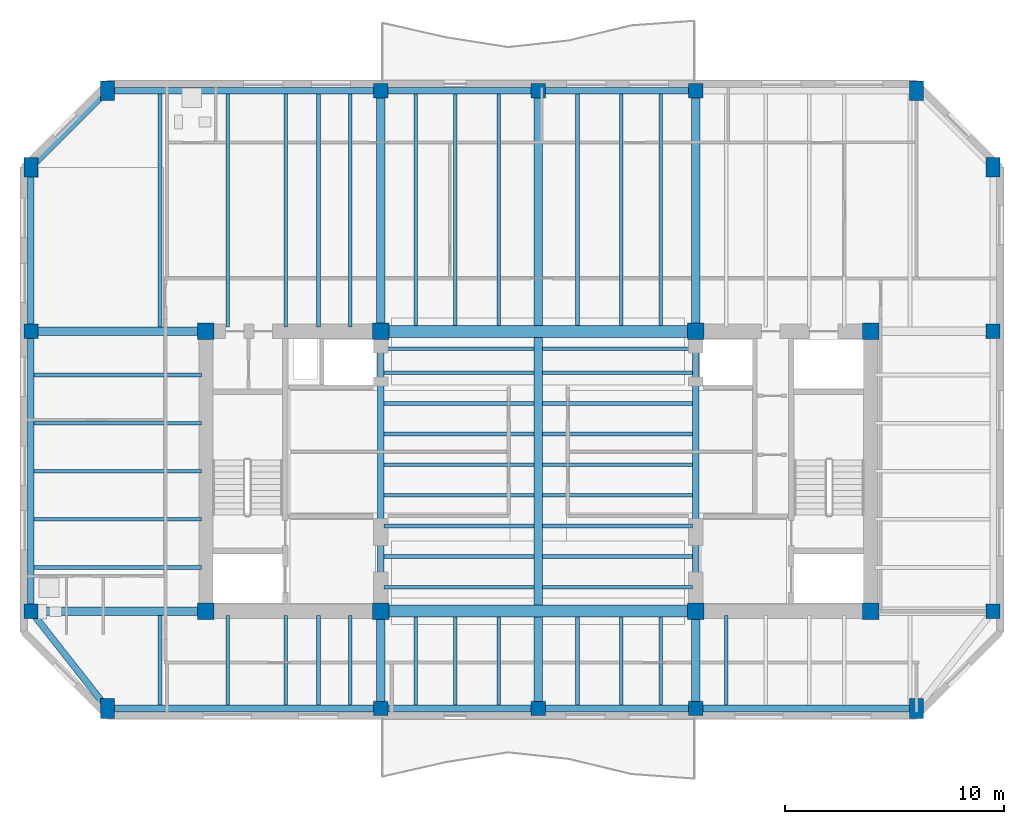
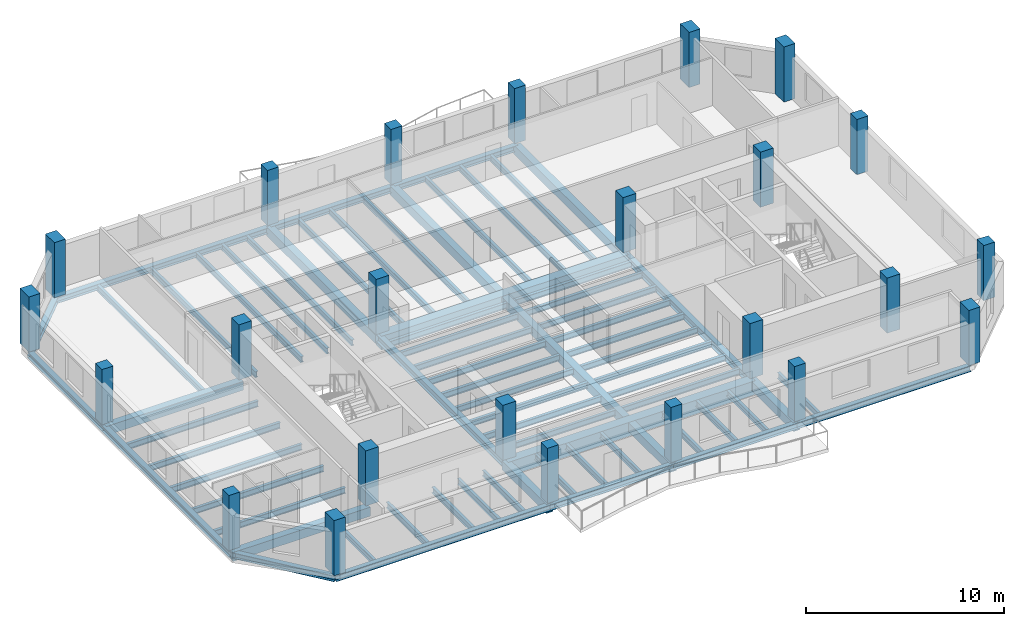
# One storey, part 1 of 10: 70 beams, 24 columns.
"""IFC4 building model written with IfcOpenShell, lengths in metres."""

from ifc_helpers import new_model, si_unit, direction, frame, origin, origin_2d, place, context, subcontext, project, spatial, rectangle, i_section, extrude, material, material_profile, profile_set, type_object, element, save


model = new_model("IFC4")

# Units and contexts
model_context = context("Model", 3, precision=1e-05, world=origin(), true_north=direction((0.0, 1.0)))
body_context = subcontext(model_context, "Body", "Model", "MODEL_VIEW")
ifc_project = project(units=[si_unit("LENGTHUNIT", "METRE"), si_unit("AREAUNIT", "SQUARE_METRE"), si_unit("VOLUMEUNIT", "CUBIC_METRE"), si_unit("PLANEANGLEUNIT", "RADIAN"), si_unit("MASSUNIT", "GRAM", prefix="KILO")], contexts=[model_context])

# Site, building, storey
site_placement = place(None, origin())
site = spatial("IfcSite", under=ifc_project, at=site_placement, CompositionType="ELEMENT")
building_placement = place(site_placement, origin())
building = spatial("IfcBuilding", under=site, at=building_placement, Name="Kranthara Brick Stack", CompositionType="ELEMENT")
storey_placement = place(building_placement, frame((0.0, 0.0, 278.89990234375)))
storey = spatial("IfcBuildingStorey", under=building, at=storey_placement, Name="L74", CompositionType="ELEMENT", Elevation=278.89990234375)

# Columns
ifc_material_1 = material(Name="Concrete C50/60", Category="concrete")
ifc_material_profile_1 = material_profile(ifc_material_1, rectangle(XDim=0.64990234375, YDim=0.89990234375, at=origin_2d()), Name="RC 650x900")
ifc_profile_set_1 = profile_set([ifc_material_profile_1], Name="Concrete C50/60")
column_type_1 = type_object("IfcColumnType", Name="COL-CHAM-650x900", PredefinedType="COLUMN", material=ifc_profile_set_1)
for number, where, z_axis, x_axis, name in (
    (1, (8.300048828125, 16.35009765625, 0.0), (0.0, 0.0, 1.0), (1.0, 0.0, 0.0), "L74 Column 09"),
    (2, (8.300048828125, 44.60009765625, 0.0), (0.0, 0.0, 1.0), (1.0, 0.0, 0.0), "L74 Column 10"),
    (3, (45.300048828125, 16.35009765625, 0.0), (0.0, 0.0, 1.0), (1.0, 0.0, 0.0), "L74 Column 17"),
    (4, (45.300048828125, 44.60009765625, 0.0), (0.0, 0.0, 1.0), (1.0, 0.0, 0.0), "L74 Column 18"),
    (5, (4.800048828125, 41.10009765625, 0.0), (0.0, 0.0, 1.0), (1.0, 0.0, 0.0), "L74 Column 23"),
    (6, (48.800048828125, 41.10009765625, 0.0), (0.0, 0.0, 1.0), (1.0, 0.0, 0.0), "L74 Column 24"),
):
    element("IfcColumn", number, at=place(storey_placement, frame(where, z_axis=z_axis, x_axis=x_axis)), inside=storey, type_object=column_type_1, Name=name, PredefinedType="COLUMN", context=body_context, shape_type="SweptSolid", body=[
        extrude(rectangle(XDim=0.64990234375, YDim=0.89990234375, at=origin_2d()), origin(), (0.0, 0.0, 1.0), 3.400146484375),
    ])
ifc_material_2 = material(Name="Concrete C50/60", Category="concrete")
ifc_material_profile_2 = material_profile(ifc_material_2, rectangle(XDim=0.75, YDim=0.75, at=origin_2d()), Name="RC 750x750")
ifc_profile_set_2 = profile_set([ifc_material_profile_2], Name="Concrete C50/60")
column_type_2 = type_object("IfcColumnType", Name="COL-CORE-750", PredefinedType="COLUMN", material=ifc_profile_set_2)
for number, where, z_axis, x_axis, name in (
    (7, (12.800048828125, 20.800048828125, 0.0), (0.0, 0.0, 1.0), (1.0, 0.0, 0.0), "L74 Column 01"),
    (8, (20.800048828125, 20.800048828125, 0.0), (0.0, 0.0, 1.0), (1.0, 0.0, 0.0), "L74 Column 02"),
    (9, (12.800048828125, 33.60009765625, 0.0), (0.0, 0.0, 1.0), (1.0, 0.0, 0.0), "L74 Column 03"),
    (10, (20.800048828125, 33.60009765625, 0.0), (0.0, 0.0, 1.0), (1.0, 0.0, 0.0), "L74 Column 04"),
    (11, (35.199951171875, 20.800048828125, 0.0), (0.0, 0.0, 1.0), (1.0, 0.0, 0.0), "L74 Column 05"),
    (12, (43.199951171875, 20.800048828125, 0.0), (0.0, 0.0, 1.0), (1.0, 0.0, 0.0), "L74 Column 06"),
    (13, (35.199951171875, 33.60009765625, 0.0), (0.0, 0.0, 1.0), (1.0, 0.0, 0.0), "L74 Column 07"),
    (14, (43.199951171875, 33.60009765625, 0.0), (0.0, 0.0, 1.0), (1.0, 0.0, 0.0), "L74 Column 08"),
):
    element("IfcColumn", number, at=place(storey_placement, frame(where, z_axis=z_axis, x_axis=x_axis)), inside=storey, type_object=column_type_2, Name=name, PredefinedType="COLUMN", context=body_context, shape_type="SweptSolid", body=[
        extrude(rectangle(XDim=0.75, YDim=0.75, at=origin_2d()), origin(), (0.0, 0.0, 1.0), 3.400146484375),
    ])
ifc_material_3 = material(Name="Concrete C50/60", Category="concrete")
ifc_material_profile_3 = material_profile(ifc_material_3, rectangle(XDim=0.64990234375, YDim=0.64990234375, at=origin_2d()), Name="RC 650x650")
ifc_profile_set_3 = profile_set([ifc_material_profile_3], Name="Concrete C50/60")
column_type_3 = type_object("IfcColumnType", Name="COL-PER-650", PredefinedType="COLUMN", material=ifc_profile_set_3)
for number, where, z_axis, x_axis, name in (
    (15, (20.800048828125, 16.35009765625, 0.0), (0.0, 0.0, 1.0), (1.0, 0.0, 0.0), "L74 Column 11"),
    (16, (20.800048828125, 44.60009765625, 0.0), (0.0, 0.0, 1.0), (1.0, 0.0, 0.0), "L74 Column 12"),
    (17, (28.0, 16.35009765625, 0.0), (0.0, 0.0, 1.0), (1.0, 0.0, 0.0), "L74 Column 13"),
    (18, (28.0, 44.60009765625, 0.0), (0.0, 0.0, 1.0), (1.0, 0.0, 0.0), "L74 Column 14"),
    (19, (35.199951171875, 16.35009765625, 0.0), (0.0, 0.0, 1.0), (1.0, 0.0, 0.0), "L74 Column 15"),
    (20, (35.199951171875, 44.60009765625, 0.0), (0.0, 0.0, 1.0), (1.0, 0.0, 0.0), "L74 Column 16"),
    (21, (4.800048828125, 20.800048828125, 0.0), (0.0, 0.0, 1.0), (1.0, 0.0, 0.0), "L74 Column 19"),
    (22, (48.800048828125, 20.800048828125, 0.0), (0.0, 0.0, 1.0), (1.0, 0.0, 0.0), "L74 Column 20"),
    (23, (4.800048828125, 33.60009765625, 0.0), (0.0, 0.0, 1.0), (1.0, 0.0, 0.0), "L74 Column 21"),
    (24, (48.800048828125, 33.60009765625, 0.0), (0.0, 0.0, 1.0), (1.0, 0.0, 0.0), "L74 Column 22"),
):
    element("IfcColumn", number, at=place(storey_placement, frame(where, z_axis=z_axis, x_axis=x_axis)), inside=storey, type_object=column_type_3, Name=name, PredefinedType="COLUMN", context=body_context, shape_type="SweptSolid", body=[
        extrude(rectangle(XDim=0.64990234375, YDim=0.64990234375, at=origin_2d()), origin(), (0.0, 0.0, 1.0), 3.400146484375),
    ])

# Beams
ifc_material_4 = material(Name="Concrete C50/60", Category="concrete")
ifc_material_profile_4 = material_profile(ifc_material_4, rectangle(XDim=0.550048828125, YDim=0.85009765625, at=origin_2d()), Name="RC 550x850")
ifc_profile_set_4 = profile_set([ifc_material_profile_4], Name="Concrete C50/60")
beam_type_1 = type_object("IfcBeamType", Name="BM-CPL-RC850", PredefinedType="LINTEL", material=ifc_profile_set_4)
for number, where, z_axis, x_axis, name in (
    (25, (20.800048828125, 20.800048828125, -0.724853515625), (1.0, 0.0, 0.0), (0.0, 1.0, 0.0), "L74 Core Coupling Beam 001"),
    (26, (20.800048828125, 33.60009765625, -0.724853515625), (1.0, 0.0, 0.0), (0.0, 1.0, 0.0), "L74 Core Coupling Beam 002"),
):
    element("IfcBeam", number, at=place(storey_placement, frame(where, z_axis=z_axis, x_axis=x_axis)), inside=storey, type_object=beam_type_1, Name=name, PredefinedType="LINTEL", context=body_context, shape_type="SweptSolid", body=[
        extrude(rectangle(XDim=0.550048828125, YDim=0.85009765625, at=origin_2d()), origin(), (0.0, 0.0, 1.0), 14.39990234375),
    ])
ifc_material_5 = material(Name="Post-tensioned concrete C45/55", Category="concrete")
ifc_material_profile_5 = material_profile(ifc_material_5, rectangle(XDim=0.39990234375, YDim=0.550048828125, at=origin_2d()), Name="PT 400x550")
ifc_profile_set_5 = profile_set([ifc_material_profile_5], Name="Post-tensioned concrete C45/55")
beam_type_2 = type_object("IfcBeamType", Name="BM-FLR-PT550", PredefinedType="BEAM", material=ifc_profile_set_5)
beam_1_placement = place(storey_placement, frame((20.800048828125, 16.35009765625, -0.574951171875), z_axis=(0.0, 1.0, 0.0), x_axis=(-1.0, 0.0, 0.0)))
element("IfcBeam", 27, at=beam_1_placement, inside=storey, type_object=beam_type_2, Name="L74 Primary Grid Girder 021", PredefinedType="BEAM", context=body_context, shape_type="SweptSolid", body=[
    extrude(rectangle(XDim=0.39990234375, YDim=0.550048828125, at=origin_2d()), origin(), (0.0, 0.0, 1.0), 4.449951171875),
])
beam_2_placement = place(storey_placement, frame((20.800048828125, 33.60009765625, -0.574951171875), z_axis=(0.0, 1.0, 0.0), x_axis=(-1.0, 0.0, 0.0)))
element("IfcBeam", 28, at=beam_2_placement, inside=storey, type_object=beam_type_2, Name="L74 Primary Grid Girder 022", PredefinedType="BEAM", context=body_context, shape_type="SweptSolid", body=[
    extrude(rectangle(XDim=0.39990234375, YDim=0.550048828125, at=origin_2d()), origin(), (0.0, 0.0, 1.0), 11.0),
])
beam_3_placement = place(storey_placement, frame((28.0, 16.35009765625, -0.574951171875), z_axis=(0.0, 1.0, 0.0), x_axis=(-1.0, 0.0, 0.0)))
element("IfcBeam", 29, at=beam_3_placement, inside=storey, type_object=beam_type_2, Name="L74 Primary Grid Girder 023", PredefinedType="BEAM", context=body_context, shape_type="SweptSolid", body=[
    extrude(rectangle(XDim=0.39990234375, YDim=0.550048828125, at=origin_2d()), origin(), (0.0, 0.0, 1.0), 4.1748046875),
])
beam_4_placement = place(storey_placement, frame((28.0, 21.074951171875, -0.574951171875), z_axis=(0.0, 1.0, 0.0), x_axis=(-1.0, 0.0, 0.0)))
element("IfcBeam", 30, at=beam_4_placement, inside=storey, type_object=beam_type_2, Name="L74 Central Spine Girder 024", PredefinedType="BEAM", context=body_context, shape_type="SweptSolid", body=[
    extrude(rectangle(XDim=0.39990234375, YDim=0.550048828125, at=origin_2d()), origin(), (0.0, 0.0, 1.0), 12.25),
])
beam_5_placement = place(storey_placement, frame((28.0, 33.875, -0.574951171875), z_axis=(0.0, 1.0, 0.0), x_axis=(-1.0, 0.0, 0.0)))
element("IfcBeam", 31, at=beam_5_placement, inside=storey, type_object=beam_type_2, Name="L74 Primary Grid Girder 025", PredefinedType="BEAM", context=body_context, shape_type="SweptSolid", body=[
    extrude(rectangle(XDim=0.39990234375, YDim=0.550048828125, at=origin_2d()), origin(), (0.0, 0.0, 1.0), 10.72509765625),
])
beam_6_placement = place(storey_placement, frame((35.199951171875, 16.35009765625, -0.574951171875), z_axis=(0.0, 1.0, 0.0), x_axis=(-1.0, 0.0, 0.0)))
element("IfcBeam", 32, at=beam_6_placement, inside=storey, type_object=beam_type_2, Name="L74 Primary Grid Girder 026", PredefinedType="BEAM", context=body_context, shape_type="SweptSolid", body=[
    extrude(rectangle(XDim=0.39990234375, YDim=0.550048828125, at=origin_2d()), origin(), (0.0, 0.0, 1.0), 4.449951171875),
])
beam_7_placement = place(storey_placement, frame((35.199951171875, 33.60009765625, -0.574951171875), z_axis=(0.0, 1.0, 0.0), x_axis=(-1.0, 0.0, 0.0)))
element("IfcBeam", 33, at=beam_7_placement, inside=storey, type_object=beam_type_2, Name="L74 Primary Grid Girder 027", PredefinedType="BEAM", context=body_context, shape_type="SweptSolid", body=[
    extrude(rectangle(XDim=0.39990234375, YDim=0.550048828125, at=origin_2d()), origin(), (0.0, 0.0, 1.0), 11.0),
])
for number, where, z_axis, x_axis, name in (
    (34, (4.800048828125, 20.800048828125, -0.574951171875), (1.0, 0.0, 0.0), (0.0, 1.0, 0.0), "L74 Primary Grid Girder 028"),
    (35, (4.800048828125, 33.60009765625, -0.574951171875), (1.0, 0.0, 0.0), (0.0, 1.0, 0.0), "L74 Primary Grid Girder 030"),
):
    element("IfcBeam", number, at=place(storey_placement, frame(where, z_axis=z_axis, x_axis=x_axis)), inside=storey, type_object=beam_type_2, Name=name, PredefinedType="BEAM", context=body_context, shape_type="SweptSolid", body=[
        extrude(rectangle(XDim=0.39990234375, YDim=0.550048828125, at=origin_2d()), origin(), (0.0, 0.0, 1.0), 8.0),
    ])
ifc_material_6 = material(Name="Steel S355", Category="steel")
ifc_material_profile_6 = material_profile(ifc_material_6, i_section(OverallWidth=0.169921875, OverallDepth=0.360107421875, WebThickness=0.008056640625, FlangeThickness=0.0126953125, at=origin_2d()), Name="IPE 360")
ifc_profile_set_6 = profile_set([ifc_material_profile_6], Name="Steel S355")
beam_type_3 = type_object("IfcBeamType", Name="BM-JST-IPE360", PredefinedType="JOIST", material=ifc_profile_set_6)
for number, where, z_axis, x_axis, name in (
    (36, (20.949951171875, 21.89990234375, -0.47998046875), (1.0, 0.0, 0.0), (0.0, 1.0, 0.0), "L74 Central Floor Joist 032"),
    (37, (28.199951171875, 21.89990234375, -0.47998046875), (1.0, 0.0, 0.0), (0.0, 1.0, 0.0), "L74 Central Floor Joist 033"),
    (38, (20.949951171875, 23.300048828125, -0.47998046875), (1.0, 0.0, 0.0), (0.0, 1.0, 0.0), "L74 Central Floor Joist 034"),
    (39, (28.199951171875, 23.300048828125, -0.47998046875), (1.0, 0.0, 0.0), (0.0, 1.0, 0.0), "L74 Central Floor Joist 035"),
    (40, (20.949951171875, 24.699951171875, -0.47998046875), (1.0, 0.0, 0.0), (0.0, 1.0, 0.0), "L74 Central Floor Joist 036"),
    (41, (28.199951171875, 24.699951171875, -0.47998046875), (1.0, 0.0, 0.0), (0.0, 1.0, 0.0), "L74 Central Floor Joist 037"),
    (42, (20.949951171875, 26.10009765625, -0.47998046875), (1.0, 0.0, 0.0), (0.0, 1.0, 0.0), "L74 Central Floor Joist 038"),
    (43, (28.199951171875, 26.10009765625, -0.47998046875), (1.0, 0.0, 0.0), (0.0, 1.0, 0.0), "L74 Central Floor Joist 039"),
    (44, (20.949951171875, 27.5, -0.47998046875), (1.0, 0.0, 0.0), (0.0, 1.0, 0.0), "L74 Central Floor Joist 040"),
    (45, (28.199951171875, 27.5, -0.47998046875), (1.0, 0.0, 0.0), (0.0, 1.0, 0.0), "L74 Central Floor Joist 041"),
    (46, (20.949951171875, 28.89990234375, -0.47998046875), (1.0, 0.0, 0.0), (0.0, 1.0, 0.0), "L74 Central Floor Joist 042"),
    (47, (28.199951171875, 28.89990234375, -0.47998046875), (1.0, 0.0, 0.0), (0.0, 1.0, 0.0), "L74 Central Floor Joist 043"),
    (48, (20.949951171875, 30.300048828125, -0.47998046875), (1.0, 0.0, 0.0), (0.0, 1.0, 0.0), "L74 Central Floor Joist 044"),
    (49, (28.199951171875, 30.300048828125, -0.47998046875), (1.0, 0.0, 0.0), (0.0, 1.0, 0.0), "L74 Central Floor Joist 045"),
    (50, (20.949951171875, 31.699951171875, -0.47998046875), (1.0, 0.0, 0.0), (0.0, 1.0, 0.0), "L74 Central Floor Joist 046"),
    (51, (28.199951171875, 31.699951171875, -0.47998046875), (1.0, 0.0, 0.0), (0.0, 1.0, 0.0), "L74 Central Floor Joist 047"),
    (52, (20.949951171875, 32.800048828125, -0.47998046875), (1.0, 0.0, 0.0), (0.0, 1.0, 0.0), "L74 Central Floor Joist 048"),
    (53, (28.199951171875, 32.800048828125, -0.47998046875), (1.0, 0.0, 0.0), (0.0, 1.0, 0.0), "L74 Central Floor Joist 049"),
):
    element("IfcBeam", number, at=place(storey_placement, frame(where, z_axis=z_axis, x_axis=x_axis)), inside=storey, type_object=beam_type_3, Name=name, PredefinedType="JOIST", context=body_context, shape_type="SweptSolid", body=[
        extrude(i_section(OverallWidth=0.169921875, OverallDepth=0.360107421875, WebThickness=0.008056640625, FlangeThickness=0.0126953125, at=origin_2d()), origin(), (0.0, 0.0, 1.0), 6.85009765625),
    ])
beam_8_placement = place(storey_placement, frame((10.699951171875, 16.5, -0.47998046875), z_axis=(0.0, 1.0, 0.0), x_axis=(-1.0, 0.0, 0.0)))
element("IfcBeam", 54, at=beam_8_placement, inside=storey, type_object=beam_type_3, Name="L74 South Wing Floor Joist 050", PredefinedType="JOIST", context=body_context, shape_type="SweptSolid", body=[
    extrude(i_section(OverallWidth=0.169921875, OverallDepth=0.360107421875, WebThickness=0.008056640625, FlangeThickness=0.0126953125, at=origin_2d()), origin(), (0.0, 0.0, 1.0), 4.10009765625),
])
beam_9_placement = place(storey_placement, frame((10.699951171875, 33.800048828125, -0.47998046875), z_axis=(0.0, 1.0, 0.0), x_axis=(-1.0, 0.0, 0.0)))
element("IfcBeam", 55, at=beam_9_placement, inside=storey, type_object=beam_type_3, Name="L74 North Wing Floor Joist 051", PredefinedType="JOIST", context=body_context, shape_type="SweptSolid", body=[
    extrude(i_section(OverallWidth=0.169921875, OverallDepth=0.360107421875, WebThickness=0.008056640625, FlangeThickness=0.0126953125, at=origin_2d()), origin(), (0.0, 0.0, 1.0), 10.64990234375),
])
beam_10_placement = place(storey_placement, frame((13.800048828125, 16.5, -0.47998046875), z_axis=(0.0, 1.0, 0.0), x_axis=(-1.0, 0.0, 0.0)))
element("IfcBeam", 56, at=beam_10_placement, inside=storey, type_object=beam_type_3, Name="L74 South Wing Floor Joist 052", PredefinedType="JOIST", context=body_context, shape_type="SweptSolid", body=[
    extrude(i_section(OverallWidth=0.169921875, OverallDepth=0.360107421875, WebThickness=0.008056640625, FlangeThickness=0.0126953125, at=origin_2d()), origin(), (0.0, 0.0, 1.0), 4.10009765625),
])
beam_11_placement = place(storey_placement, frame((13.800048828125, 33.800048828125, -0.47998046875), z_axis=(0.0, 1.0, 0.0), x_axis=(-1.0, 0.0, 0.0)))
element("IfcBeam", 57, at=beam_11_placement, inside=storey, type_object=beam_type_3, Name="L74 North Wing Floor Joist 053", PredefinedType="JOIST", context=body_context, shape_type="SweptSolid", body=[
    extrude(i_section(OverallWidth=0.169921875, OverallDepth=0.360107421875, WebThickness=0.008056640625, FlangeThickness=0.0126953125, at=origin_2d()), origin(), (0.0, 0.0, 1.0), 10.64990234375),
])
beam_12_placement = place(storey_placement, frame((16.449951171875, 16.5, -0.47998046875), z_axis=(0.0, 1.0, 0.0), x_axis=(-1.0, 0.0, 0.0)))
element("IfcBeam", 58, at=beam_12_placement, inside=storey, type_object=beam_type_3, Name="L74 South Wing Floor Joist 054", PredefinedType="JOIST", context=body_context, shape_type="SweptSolid", body=[
    extrude(i_section(OverallWidth=0.169921875, OverallDepth=0.360107421875, WebThickness=0.008056640625, FlangeThickness=0.0126953125, at=origin_2d()), origin(), (0.0, 0.0, 1.0), 4.10009765625),
])
beam_13_placement = place(storey_placement, frame((16.449951171875, 33.800048828125, -0.47998046875), z_axis=(0.0, 1.0, 0.0), x_axis=(-1.0, 0.0, 0.0)))
element("IfcBeam", 59, at=beam_13_placement, inside=storey, type_object=beam_type_3, Name="L74 North Wing Floor Joist 055", PredefinedType="JOIST", context=body_context, shape_type="SweptSolid", body=[
    extrude(i_section(OverallWidth=0.169921875, OverallDepth=0.360107421875, WebThickness=0.008056640625, FlangeThickness=0.0126953125, at=origin_2d()), origin(), (0.0, 0.0, 1.0), 10.64990234375),
])
beam_14_placement = place(storey_placement, frame((17.949951171875, 16.5, -0.47998046875), z_axis=(0.0, 1.0, 0.0), x_axis=(-1.0, 0.0, 0.0)))
element("IfcBeam", 60, at=beam_14_placement, inside=storey, type_object=beam_type_3, Name="L74 South Wing Floor Joist 056", PredefinedType="JOIST", context=body_context, shape_type="SweptSolid", body=[
    extrude(i_section(OverallWidth=0.169921875, OverallDepth=0.360107421875, WebThickness=0.008056640625, FlangeThickness=0.0126953125, at=origin_2d()), origin(), (0.0, 0.0, 1.0), 4.10009765625),
])
beam_15_placement = place(storey_placement, frame((17.949951171875, 33.800048828125, -0.47998046875), z_axis=(0.0, 1.0, 0.0), x_axis=(-1.0, 0.0, 0.0)))
element("IfcBeam", 61, at=beam_15_placement, inside=storey, type_object=beam_type_3, Name="L74 North Wing Floor Joist 057", PredefinedType="JOIST", context=body_context, shape_type="SweptSolid", body=[
    extrude(i_section(OverallWidth=0.169921875, OverallDepth=0.360107421875, WebThickness=0.008056640625, FlangeThickness=0.0126953125, at=origin_2d()), origin(), (0.0, 0.0, 1.0), 10.64990234375),
])
beam_16_placement = place(storey_placement, frame((19.39990234375, 16.5, -0.47998046875), z_axis=(0.0, 1.0, 0.0), x_axis=(-1.0, 0.0, 0.0)))
element("IfcBeam", 62, at=beam_16_placement, inside=storey, type_object=beam_type_3, Name="L74 South Wing Floor Joist 058", PredefinedType="JOIST", context=body_context, shape_type="SweptSolid", body=[
    extrude(i_section(OverallWidth=0.169921875, OverallDepth=0.360107421875, WebThickness=0.008056640625, FlangeThickness=0.0126953125, at=origin_2d()), origin(), (0.0, 0.0, 1.0), 4.10009765625),
])
beam_17_placement = place(storey_placement, frame((19.39990234375, 33.800048828125, -0.47998046875), z_axis=(0.0, 1.0, 0.0), x_axis=(-1.0, 0.0, 0.0)))
element("IfcBeam", 63, at=beam_17_placement, inside=storey, type_object=beam_type_3, Name="L74 North Wing Floor Joist 059", PredefinedType="JOIST", context=body_context, shape_type="SweptSolid", body=[
    extrude(i_section(OverallWidth=0.169921875, OverallDepth=0.360107421875, WebThickness=0.008056640625, FlangeThickness=0.0126953125, at=origin_2d()), origin(), (0.0, 0.0, 1.0), 10.64990234375),
])
beam_18_placement = place(storey_placement, frame((22.39990234375, 16.5, -0.47998046875), z_axis=(0.0, 1.0, 0.0), x_axis=(-1.0, 0.0, 0.0)))
element("IfcBeam", 64, at=beam_18_placement, inside=storey, type_object=beam_type_3, Name="L74 South Wing Floor Joist 060", PredefinedType="JOIST", context=body_context, shape_type="SweptSolid", body=[
    extrude(i_section(OverallWidth=0.169921875, OverallDepth=0.360107421875, WebThickness=0.008056640625, FlangeThickness=0.0126953125, at=origin_2d()), origin(), (0.0, 0.0, 1.0), 4.02490234375),
])
beam_19_placement = place(storey_placement, frame((22.39990234375, 33.875, -0.47998046875), z_axis=(0.0, 1.0, 0.0), x_axis=(-1.0, 0.0, 0.0)))
element("IfcBeam", 65, at=beam_19_placement, inside=storey, type_object=beam_type_3, Name="L74 North Wing Floor Joist 061", PredefinedType="JOIST", context=body_context, shape_type="SweptSolid", body=[
    extrude(i_section(OverallWidth=0.169921875, OverallDepth=0.360107421875, WebThickness=0.008056640625, FlangeThickness=0.0126953125, at=origin_2d()), origin(), (0.0, 0.0, 1.0), 10.574951171875),
])
beam_20_placement = place(storey_placement, frame((24.199951171875, 16.5, -0.47998046875), z_axis=(0.0, 1.0, 0.0), x_axis=(-1.0, 0.0, 0.0)))
element("IfcBeam", 66, at=beam_20_placement, inside=storey, type_object=beam_type_3, Name="L74 South Wing Floor Joist 062", PredefinedType="JOIST", context=body_context, shape_type="SweptSolid", body=[
    extrude(i_section(OverallWidth=0.169921875, OverallDepth=0.360107421875, WebThickness=0.008056640625, FlangeThickness=0.0126953125, at=origin_2d()), origin(), (0.0, 0.0, 1.0), 4.02490234375),
])
beam_21_placement = place(storey_placement, frame((24.199951171875, 33.875, -0.47998046875), z_axis=(0.0, 1.0, 0.0), x_axis=(-1.0, 0.0, 0.0)))
element("IfcBeam", 67, at=beam_21_placement, inside=storey, type_object=beam_type_3, Name="L74 North Wing Floor Joist 063", PredefinedType="JOIST", context=body_context, shape_type="SweptSolid", body=[
    extrude(i_section(OverallWidth=0.169921875, OverallDepth=0.360107421875, WebThickness=0.008056640625, FlangeThickness=0.0126953125, at=origin_2d()), origin(), (0.0, 0.0, 1.0), 10.574951171875),
])
beam_22_placement = place(storey_placement, frame((26.199951171875, 16.5, -0.47998046875), z_axis=(0.0, 1.0, 0.0), x_axis=(-1.0, 0.0, 0.0)))
element("IfcBeam", 68, at=beam_22_placement, inside=storey, type_object=beam_type_3, Name="L74 South Wing Floor Joist 064", PredefinedType="JOIST", context=body_context, shape_type="SweptSolid", body=[
    extrude(i_section(OverallWidth=0.169921875, OverallDepth=0.360107421875, WebThickness=0.008056640625, FlangeThickness=0.0126953125, at=origin_2d()), origin(), (0.0, 0.0, 1.0), 4.02490234375),
])
beam_23_placement = place(storey_placement, frame((26.199951171875, 33.875, -0.47998046875), z_axis=(0.0, 1.0, 0.0), x_axis=(-1.0, 0.0, 0.0)))
element("IfcBeam", 69, at=beam_23_placement, inside=storey, type_object=beam_type_3, Name="L74 North Wing Floor Joist 065", PredefinedType="JOIST", context=body_context, shape_type="SweptSolid", body=[
    extrude(i_section(OverallWidth=0.169921875, OverallDepth=0.360107421875, WebThickness=0.008056640625, FlangeThickness=0.0126953125, at=origin_2d()), origin(), (0.0, 0.0, 1.0), 10.574951171875),
])
beam_24_placement = place(storey_placement, frame((29.800048828125, 16.5, -0.47998046875), z_axis=(0.0, 1.0, 0.0), x_axis=(-1.0, 0.0, 0.0)))
element("IfcBeam", 70, at=beam_24_placement, inside=storey, type_object=beam_type_3, Name="L74 South Wing Floor Joist 066", PredefinedType="JOIST", context=body_context, shape_type="SweptSolid", body=[
    extrude(i_section(OverallWidth=0.169921875, OverallDepth=0.360107421875, WebThickness=0.008056640625, FlangeThickness=0.0126953125, at=origin_2d()), origin(), (0.0, 0.0, 1.0), 4.02490234375),
])
beam_25_placement = place(storey_placement, frame((29.800048828125, 33.875, -0.47998046875), z_axis=(0.0, 1.0, 0.0), x_axis=(-1.0, 0.0, 0.0)))
element("IfcBeam", 71, at=beam_25_placement, inside=storey, type_object=beam_type_3, Name="L74 North Wing Floor Joist 067", PredefinedType="JOIST", context=body_context, shape_type="SweptSolid", body=[
    extrude(i_section(OverallWidth=0.169921875, OverallDepth=0.360107421875, WebThickness=0.008056640625, FlangeThickness=0.0126953125, at=origin_2d()), origin(), (0.0, 0.0, 1.0), 10.574951171875),
])
beam_26_placement = place(storey_placement, frame((31.800048828125, 16.5, -0.47998046875), z_axis=(0.0, 1.0, 0.0), x_axis=(-1.0, 0.0, 0.0)))
element("IfcBeam", 72, at=beam_26_placement, inside=storey, type_object=beam_type_3, Name="L74 South Wing Floor Joist 068", PredefinedType="JOIST", context=body_context, shape_type="SweptSolid", body=[
    extrude(i_section(OverallWidth=0.169921875, OverallDepth=0.360107421875, WebThickness=0.008056640625, FlangeThickness=0.0126953125, at=origin_2d()), origin(), (0.0, 0.0, 1.0), 4.02490234375),
])
beam_27_placement = place(storey_placement, frame((31.800048828125, 33.875, -0.47998046875), z_axis=(0.0, 1.0, 0.0), x_axis=(-1.0, 0.0, 0.0)))
element("IfcBeam", 73, at=beam_27_placement, inside=storey, type_object=beam_type_3, Name="L74 North Wing Floor Joist 069", PredefinedType="JOIST", context=body_context, shape_type="SweptSolid", body=[
    extrude(i_section(OverallWidth=0.169921875, OverallDepth=0.360107421875, WebThickness=0.008056640625, FlangeThickness=0.0126953125, at=origin_2d()), origin(), (0.0, 0.0, 1.0), 10.574951171875),
])
beam_28_placement = place(storey_placement, frame((33.60009765625, 16.5, -0.47998046875), z_axis=(0.0, 1.0, 0.0), x_axis=(-1.0, 0.0, 0.0)))
element("IfcBeam", 74, at=beam_28_placement, inside=storey, type_object=beam_type_3, Name="L74 South Wing Floor Joist 070", PredefinedType="JOIST", context=body_context, shape_type="SweptSolid", body=[
    extrude(i_section(OverallWidth=0.169921875, OverallDepth=0.360107421875, WebThickness=0.008056640625, FlangeThickness=0.0126953125, at=origin_2d()), origin(), (0.0, 0.0, 1.0), 4.02490234375),
])
beam_29_placement = place(storey_placement, frame((33.60009765625, 33.875, -0.47998046875), z_axis=(0.0, 1.0, 0.0), x_axis=(-1.0, 0.0, 0.0)))
element("IfcBeam", 75, at=beam_29_placement, inside=storey, type_object=beam_type_3, Name="L74 North Wing Floor Joist 071", PredefinedType="JOIST", context=body_context, shape_type="SweptSolid", body=[
    extrude(i_section(OverallWidth=0.169921875, OverallDepth=0.360107421875, WebThickness=0.008056640625, FlangeThickness=0.0126953125, at=origin_2d()), origin(), (0.0, 0.0, 1.0), 10.574951171875),
])
beam_30_placement = place(storey_placement, frame((36.60009765625, 16.5, -0.47998046875), z_axis=(0.0, 1.0, 0.0), x_axis=(-1.0, 0.0, 0.0)))
element("IfcBeam", 76, at=beam_30_placement, inside=storey, type_object=beam_type_3, Name="L74 South Wing Floor Joist 072", PredefinedType="JOIST", context=body_context, shape_type="SweptSolid", body=[
    extrude(i_section(OverallWidth=0.169921875, OverallDepth=0.360107421875, WebThickness=0.008056640625, FlangeThickness=0.0126953125, at=origin_2d()), origin(), (0.0, 0.0, 1.0), 4.10009765625),
])
for number, where, z_axis, x_axis, name in (
    (77, (4.949951171875, 22.800048828125, -0.47998046875), (1.0, 0.0, 0.0), (0.0, 1.0, 0.0), "L74 West Wing Floor Joist 082"),
    (78, (4.949951171875, 25.0, -0.47998046875), (1.0, 0.0, 0.0), (0.0, 1.0, 0.0), "L74 West Wing Floor Joist 084"),
    (79, (4.949951171875, 27.199951171875, -0.47998046875), (1.0, 0.0, 0.0), (0.0, 1.0, 0.0), "L74 West Wing Floor Joist 086"),
    (80, (4.949951171875, 29.39990234375, -0.47998046875), (1.0, 0.0, 0.0), (0.0, 1.0, 0.0), "L74 West Wing Floor Joist 088"),
    (81, (4.949951171875, 31.60009765625, -0.47998046875), (1.0, 0.0, 0.0), (0.0, 1.0, 0.0), "L74 West Wing Floor Joist 090"),
):
    element("IfcBeam", number, at=place(storey_placement, frame(where, z_axis=z_axis, x_axis=x_axis)), inside=storey, type_object=beam_type_3, Name=name, PredefinedType="JOIST", context=body_context, shape_type="SweptSolid", body=[
        extrude(i_section(OverallWidth=0.169921875, OverallDepth=0.360107421875, WebThickness=0.008056640625, FlangeThickness=0.0126953125, at=origin_2d()), origin(), (0.0, 0.0, 1.0), 7.650146484375),
    ])
ifc_material_7 = material(Name="Steel S355", Category="steel")
ifc_material_profile_7 = material_profile(ifc_material_7, i_section(OverallWidth=0.300048828125, OverallDepth=0.360107421875, WebThickness=0.012451171875, FlangeThickness=0.0224609375, at=origin_2d()), Name="HEB 360")
ifc_profile_set_7 = profile_set([ifc_material_profile_7], Name="Steel S355")
beam_type_4 = type_object("IfcBeamType", Name="BM-STL-HEB360", PredefinedType="SPANDREL", material=ifc_profile_set_7)
beam_31_placement = place(storey_placement, frame((8.300048828125, 16.35009765625, -0.47998046875), z_axis=(1.0, 0.0, 0.0), x_axis=(0.0, 1.0, 0.0)))
element("IfcBeam", 82, at=beam_31_placement, inside=storey, type_object=beam_type_4, Name="L74 Perimeter Spandrel Beam 005", PredefinedType="SPANDREL", context=body_context, shape_type="SweptSolid", body=[
    extrude(i_section(OverallWidth=0.300048828125, OverallDepth=0.360107421875, WebThickness=0.012451171875, FlangeThickness=0.0224609375, at=origin_2d()), origin(), (0.0, 0.0, 1.0), 12.5),
])
for number, where, z_axis, x_axis, name in (
    (83, (20.800048828125, 16.35009765625, -0.47998046875), (1.0, 0.0, 0.0), (0.0, 1.0, 0.0), "L74 Perimeter Spandrel Beam 006"),
    (84, (28.0, 16.35009765625, -0.47998046875), (1.0, 0.0, 0.0), (0.0, 1.0, 0.0), "L74 Perimeter Spandrel Beam 007"),
):
    element("IfcBeam", number, at=place(storey_placement, frame(where, z_axis=z_axis, x_axis=x_axis)), inside=storey, type_object=beam_type_4, Name=name, PredefinedType="SPANDREL", context=body_context, shape_type="SweptSolid", body=[
        extrude(i_section(OverallWidth=0.300048828125, OverallDepth=0.360107421875, WebThickness=0.012451171875, FlangeThickness=0.0224609375, at=origin_2d()), origin(), (0.0, 0.0, 1.0), 7.199951171875),
    ])
beam_32_placement = place(storey_placement, frame((35.199951171875, 16.35009765625, -0.47998046875), z_axis=(1.0, 0.0, 0.0), x_axis=(0.0, 1.0, 0.0)))
element("IfcBeam", 85, at=beam_32_placement, inside=storey, type_object=beam_type_4, Name="L74 Perimeter Spandrel Beam 008", PredefinedType="SPANDREL", context=body_context, shape_type="SweptSolid", body=[
    extrude(i_section(OverallWidth=0.300048828125, OverallDepth=0.360107421875, WebThickness=0.012451171875, FlangeThickness=0.0224609375, at=origin_2d()), origin(), (0.0, 0.0, 1.0), 10.10009765625),
])
beam_33_placement = place(storey_placement, frame((8.300048828125, 44.60009765625, -0.47998046875), z_axis=(1.0, 0.0, 0.0), x_axis=(0.0, 1.0, 0.0)))
element("IfcBeam", 86, at=beam_33_placement, inside=storey, type_object=beam_type_4, Name="L74 Perimeter Spandrel Beam 009", PredefinedType="SPANDREL", context=body_context, shape_type="SweptSolid", body=[
    extrude(i_section(OverallWidth=0.300048828125, OverallDepth=0.360107421875, WebThickness=0.012451171875, FlangeThickness=0.0224609375, at=origin_2d()), origin(), (0.0, 0.0, 1.0), 12.5),
])
for number, where, z_axis, x_axis, name in (
    (87, (20.800048828125, 44.60009765625, -0.47998046875), (1.0, 0.0, 0.0), (0.0, 1.0, 0.0), "L74 Perimeter Spandrel Beam 010"),
    (88, (28.0, 44.60009765625, -0.47998046875), (1.0, 0.0, 0.0), (0.0, 1.0, 0.0), "L74 Perimeter Spandrel Beam 011"),
):
    element("IfcBeam", number, at=place(storey_placement, frame(where, z_axis=z_axis, x_axis=x_axis)), inside=storey, type_object=beam_type_4, Name=name, PredefinedType="SPANDREL", context=body_context, shape_type="SweptSolid", body=[
        extrude(i_section(OverallWidth=0.300048828125, OverallDepth=0.360107421875, WebThickness=0.012451171875, FlangeThickness=0.0224609375, at=origin_2d()), origin(), (0.0, 0.0, 1.0), 7.199951171875),
    ])
beam_34_placement = place(storey_placement, frame((4.800048828125, 20.800048828125, -0.47998046875), z_axis=(0.0, 1.0, 0.0), x_axis=(-1.0, 0.0, 0.0)))
element("IfcBeam", 89, at=beam_34_placement, inside=storey, type_object=beam_type_4, Name="L74 Perimeter Spandrel Beam 013", PredefinedType="SPANDREL", context=body_context, shape_type="SweptSolid", body=[
    extrude(i_section(OverallWidth=0.300048828125, OverallDepth=0.360107421875, WebThickness=0.012451171875, FlangeThickness=0.0224609375, at=origin_2d()), origin(), (0.0, 0.0, 1.0), 12.800048828125),
])
beam_35_placement = place(storey_placement, frame((4.800048828125, 33.60009765625, -0.47998046875), z_axis=(0.0, 1.0, 0.0), x_axis=(-1.0, 0.0, 0.0)))
element("IfcBeam", 90, at=beam_35_placement, inside=storey, type_object=beam_type_4, Name="L74 Perimeter Spandrel Beam 014", PredefinedType="SPANDREL", context=body_context, shape_type="SweptSolid", body=[
    extrude(i_section(OverallWidth=0.300048828125, OverallDepth=0.360107421875, WebThickness=0.012451171875, FlangeThickness=0.0224609375, at=origin_2d()), origin(), (0.0, 0.0, 1.0), 7.5),
])
beam_36_placement = place(storey_placement, frame((8.300048828125, 16.35009765625, -0.47998046875), z_axis=(-0.618215705636, 0.78600848679, 0.0), x_axis=(-0.78600848679, -0.618215705636, 0.0)))
element("IfcBeam", 91, at=beam_36_placement, inside=storey, type_object=beam_type_4, Name="L74 Chamfer Corner Spandrel 017", PredefinedType="SPANDREL", context=body_context, shape_type="SweptSolid", body=[
    extrude(i_section(OverallWidth=0.300048828125, OverallDepth=0.360107421875, WebThickness=0.012451171875, FlangeThickness=0.0224609375, at=origin_2d()), origin(), (0.0, 0.0, 1.0), 5.661376953125),
])
beam_37_placement = place(storey_placement, frame((8.300048828125, 44.60009765625, -0.47998046875), z_axis=(-0.707106781187, -0.707106781187, 0.0), x_axis=(0.707106781187, -0.707106781187, 0.0)))
element("IfcBeam", 92, at=beam_37_placement, inside=storey, type_object=beam_type_4, Name="L74 Chamfer Corner Spandrel 019", PredefinedType="SPANDREL", context=body_context, shape_type="SweptSolid", body=[
    extrude(i_section(OverallWidth=0.300048828125, OverallDepth=0.360107421875, WebThickness=0.012451171875, FlangeThickness=0.0224609375, at=origin_2d()), origin(), (0.0, 0.0, 1.0), 4.94970703125),
])
ifc_material_8 = material(Name="Steel S355", Category="steel")
ifc_material_profile_8 = material_profile(ifc_material_8, i_section(OverallWidth=0.300048828125, OverallDepth=0.449951171875, WebThickness=0.013916015625, FlangeThickness=0.02587890625, at=origin_2d()), Name="HEB 450")
ifc_profile_set_8 = profile_set([ifc_material_profile_8], Name="Steel S355")
beam_type_5 = type_object("IfcBeamType", Name="BM-STL-HEB450", PredefinedType="SPANDREL", material=ifc_profile_set_8)
for number, where, z_axis, x_axis, name in (
    (93, (20.800048828125, 20.800048828125, -0.52490234375), (0.0, 1.0, 0.0), (-1.0, 0.0, 0.0), "L74 Core Edge Tie Beam 003"),
    (94, (35.199951171875, 20.800048828125, -0.52490234375), (0.0, 1.0, 0.0), (-1.0, 0.0, 0.0), "L74 Core Edge Tie Beam 004"),
):
    element("IfcBeam", number, at=place(storey_placement, frame(where, z_axis=z_axis, x_axis=x_axis)), inside=storey, type_object=beam_type_5, Name=name, PredefinedType="SPANDREL", context=body_context, shape_type="SweptSolid", body=[
        extrude(i_section(OverallWidth=0.300048828125, OverallDepth=0.449951171875, WebThickness=0.013916015625, FlangeThickness=0.02587890625, at=origin_2d()), origin(), (0.0, 0.0, 1.0), 12.800048828125),
    ])

save(model, "model.ifc")
